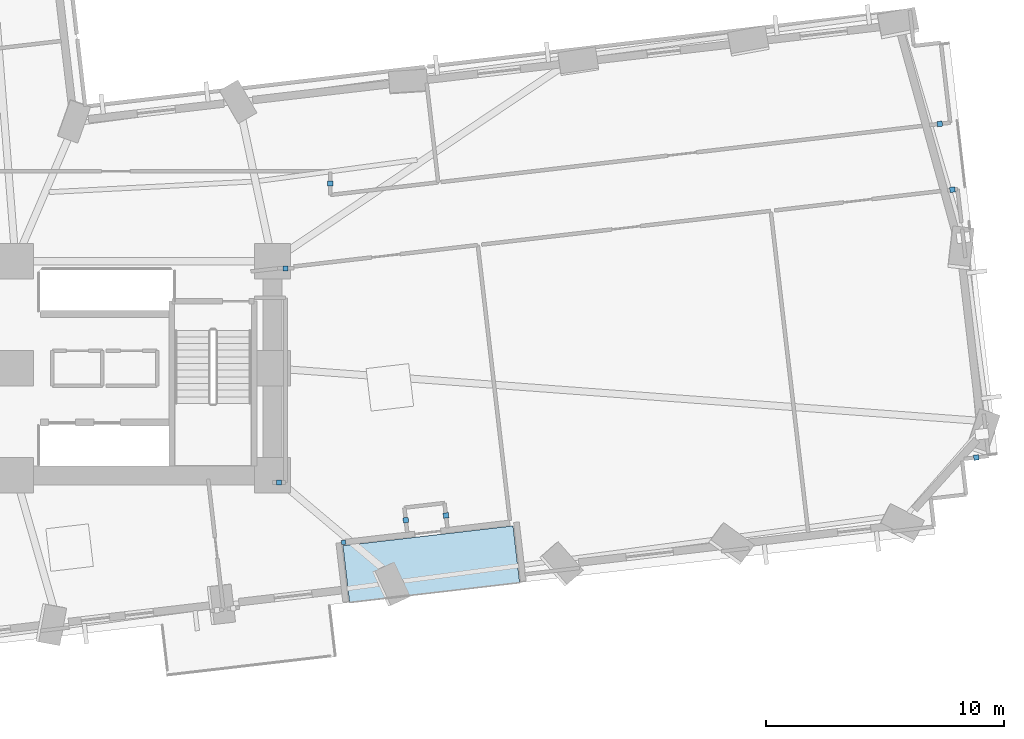
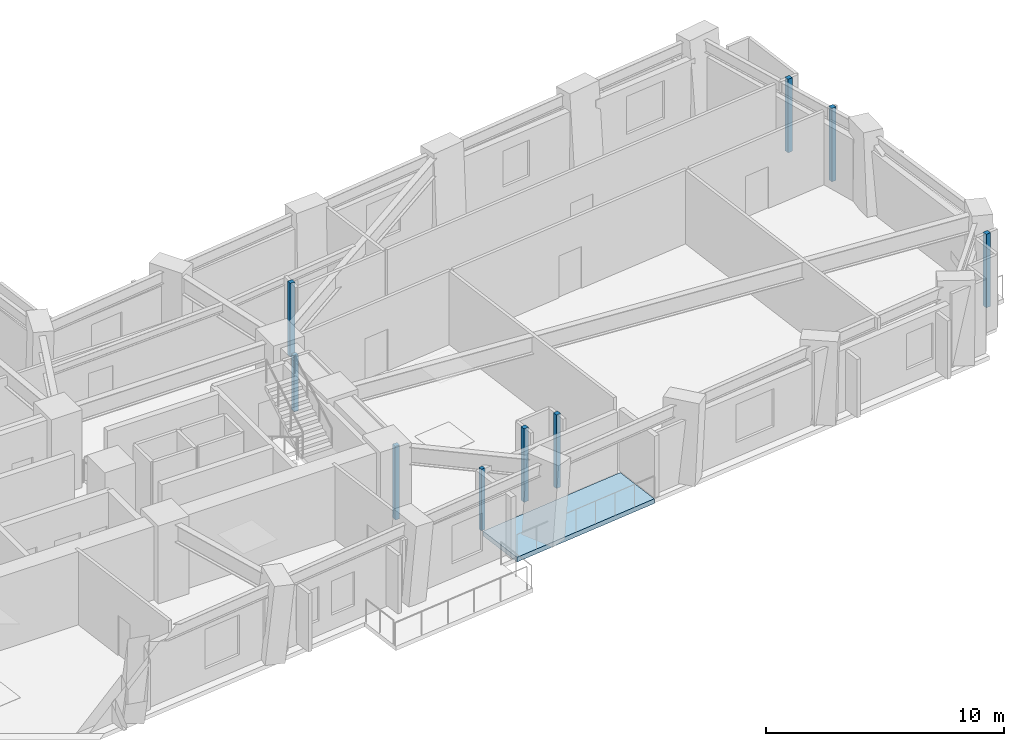
# One storey, part 5 of 14: 9 plates, 1 slab.
"""IFC4 building model written with IfcOpenShell, lengths in metres."""

import ifcopenshell
import ifcopenshell.guid

model = None  # the IFC model being written
_history = None  # IfcOwnerHistory: only IFC2X3 demands one
_inside = {}  # id of a spatial element -> (the spatial element, [elements in it])
_under = {}  # id of a project, library or spatial element -> (it, [spatial elements below it])
_declared = {}  # id of a project -> (the project, [libraries it declares])
_typed = {}  # id of a type object -> (the type object, [elements of that type])
_made_of = {}  # id of a material, layer set ... -> (it, [elements and type objects made of it])


def new_model(schema):
    """Start an empty IFC model of exactly this schema.

    Asked for "IFC4X3", IfcOpenShell would pick the latest addendum, in which some entities
    have other attributes; the version numbers below select the first issue.
    IFC2X3 requires an IfcOwnerHistory on every rooted entity: one is made here for all.
    """
    global model, _history
    if schema == "IFC4X3":
        model = ifcopenshell.file(schema_version=(4, 3, 0, 0))
    else:
        model = ifcopenshell.file(schema=schema)
    _inside.clear()
    _under.clear()
    _declared.clear()
    _typed.clear()
    _made_of.clear()
    _history = None
    if model.schema == "IFC2X3":
        org = make("IfcOrganization", Name="unknown")
        user = make(
            "IfcPersonAndOrganization",
            ThePerson=make("IfcPerson", FamilyName="unknown"),
            TheOrganization=org,
        )
        app = make(
            "IfcApplication",
            ApplicationDeveloper=org,
            Version="unknown",
            ApplicationFullName="unknown",
            ApplicationIdentifier="unknown",
        )
        _history = make(
            "IfcOwnerHistory",
            OwningUser=user,
            OwningApplication=app,
            ChangeAction="ADDED",
            CreationDate=0,
        )
    return model


def make(cls, **values):
    """One entity of the class cls with the attributes given. An attribute that is None is left unset."""
    return model.create_entity(
        cls, **{name: value for name, value in values.items() if value is not None}
    )


def rooted(cls, **values):
    """An entity with a GlobalId (a new one), such as an element, a storey or a relation."""
    return make(cls, GlobalId=ifcopenshell.guid.new(), OwnerHistory=_history, **values)


def si_unit(unit_type, name, prefix=None):
    """IfcSIUnit, for example si_unit("LENGTHUNIT", "METRE", prefix="MILLI")."""
    return make("IfcSIUnit", UnitType=unit_type, Prefix=prefix, Name=name)


def assignment(units):
    """IfcUnitAssignment: the units of a project."""
    return None if units is None else make("IfcUnitAssignment", Units=units)


def point(xyz):
    """IfcCartesianPoint."""
    return None if xyz is None else make("IfcCartesianPoint", Coordinates=xyz)


def direction(xyz):
    """IfcDirection."""
    return None if xyz is None else make("IfcDirection", DirectionRatios=xyz)


def frame(location, z_axis=None, x_axis=None):
    """IfcAxis2Placement3D, a coordinate frame: its origin and axes. An axis left out is left unset."""
    return make(
        "IfcAxis2Placement3D",
        Location=point(location),
        Axis=direction(z_axis),
        RefDirection=direction(x_axis),
    )


def frame_2d(location, x_axis=None):
    """IfcAxis2Placement2D, a coordinate frame in the plane: its origin and x axis."""
    return make(
        "IfcAxis2Placement2D", Location=point(location), RefDirection=direction(x_axis)
    )


def origin():
    """The frame at (0, 0, 0) with its axes left unset."""
    return frame((0.0, 0.0, 0.0))


def origin_2d():
    """The frame at (0, 0) in the plane with its x axis left unset."""
    return frame_2d((0.0, 0.0))


def place(relative_to, where):
    """IfcLocalPlacement: puts the frame where relative to a parent placement (None: the world)."""
    return make(
        "IfcLocalPlacement", PlacementRelTo=relative_to, RelativePlacement=where
    )


def context(
    kind, dimensions, precision=None, world=None, true_north=None, identifier=None
):
    """IfcGeometricRepresentationContext, for example the 3D "Model" context."""
    return make(
        "IfcGeometricRepresentationContext",
        ContextIdentifier=identifier,
        ContextType=kind,
        CoordinateSpaceDimension=dimensions,
        Precision=precision,
        WorldCoordinateSystem=world,
        TrueNorth=true_north,
    )


def subcontext(parent, identifier, kind, view, scale=None):
    """IfcGeometricRepresentationSubContext, for example "Body" below "Model"."""
    return make(
        "IfcGeometricRepresentationSubContext",
        ContextIdentifier=identifier,
        ContextType=kind,
        ParentContext=parent,
        TargetScale=scale,
        TargetView=view,
    )


def project(units=None, contexts=None):
    """IfcProject with its units and contexts."""
    return rooted(
        "IfcProject",
        Name="project",
        RepresentationContexts=contexts,
        UnitsInContext=assignment(units),
    )


def spatial(cls, under=None, at=None, **own):
    """A site, building, storey or space (cls), placed at a placement, below another one or the project."""
    s = rooted(cls, ObjectPlacement=at, **own)
    if under is not None:
        _under.setdefault(under.id(), (under, []))[1].append(s)
    return s


def polyline(points):
    """IfcPolyline through the points."""
    return make("IfcPolyline", Points=[point(p) for p in points])


def profile(cls, at=None, kind="AREA", **sizes):
    """A parametric profile (cls). Its sizes go by their IFC names, for example OverallWidth=200.0."""
    return make(cls, ProfileType=kind, Position=at, **sizes)


def rectangle(**sizes):
    """IfcRectangleProfileDef."""
    return profile("IfcRectangleProfileDef", **sizes)


def outline(outer, holes=None, kind="AREA"):
    """IfcArbitraryClosedProfileDef: a profile drawn as a closed curve; with holes, ...WithVoids."""
    if holes is None:
        return make("IfcArbitraryClosedProfileDef", ProfileType=kind, OuterCurve=outer)
    return make(
        "IfcArbitraryProfileDefWithVoids",
        ProfileType=kind,
        OuterCurve=outer,
        InnerCurves=holes,
    )


def extrude(swept, where, along, depth):
    """IfcExtrudedAreaSolid: the profile swept, set in the frame where, extruded along a direction by depth."""
    return make(
        "IfcExtrudedAreaSolid",
        SweptArea=swept,
        Position=where,
        ExtrudedDirection=direction(along),
        Depth=depth,
    )


def shape(context_of_items, identifier, shape_type, items):
    """IfcShapeRepresentation: the items that make up one representation, for example the "Body"."""
    return make(
        "IfcShapeRepresentation",
        ContextOfItems=context_of_items,
        RepresentationIdentifier=identifier,
        RepresentationType=shape_type,
        Items=items,
    )


def material(Name=None, Category=None):
    """IfcMaterial."""
    return make("IfcMaterial", Name=Name, Category=Category)


def layer(
    of_material, thickness, ventilated=None, Name=None, Category=None, Priority=None
):
    """IfcMaterialLayer: one layer of a wall or slab, of a material (None: an air gap)."""
    return make(
        "IfcMaterialLayer",
        Material=of_material,
        LayerThickness=thickness,
        IsVentilated=ventilated,
        Name=Name,
        Category=Category,
        Priority=Priority,
    )


def layer_set(layers, Name=None):
    """IfcMaterialLayerSet."""
    return make("IfcMaterialLayerSet", MaterialLayers=layers, LayerSetName=Name)


def made_of(thing, what):
    """Note that an element or type object is made of a material, layer set ...; save() writes the relation."""
    if what is not None:
        _made_of.setdefault(what.id(), (what, []))[1].append(thing)
    return thing


def type_object(cls, material=None, **own):
    """A type object (cls), such as IfcWallType, which elements share."""
    return made_of(rooted(cls, **own), material)


def element(
    cls,
    number,
    at=None,
    inside=None,
    cuts=None,
    type_object=None,
    material=None,
    context=None,
    identifier="Body",
    shape_type=None,
    held_by="IfcProductDefinitionShape",
    body=None,
    shapes=None,
    **own,
):
    """One element of the class cls, such as IfcWall. Its Tag is "e" and its number.

    at: its placement. inside: the storey or other place that contains it. cuts: it is an
    opening in that element (IfcRelVoidsElement). A single representation is given by context,
    identifier, shape_type and body (its items); several are given by shapes. held_by: the class
    of the entity that holds the representations. save() writes the other relations.
    """
    e = rooted(cls, Tag="e%d" % number, ObjectPlacement=at, **own)
    if body is not None:
        shapes = [shape(context, identifier, shape_type, body)]
    if shapes is not None:
        e.Representation = make(held_by, Representations=shapes)
    if inside is not None:
        _inside.setdefault(inside.id(), (inside, []))[1].append(e)
    if cuts is not None:
        rooted(
            "IfcRelVoidsElement", RelatingBuildingElement=cuts, RelatedOpeningElement=e
        )
    if type_object is not None:
        _typed.setdefault(type_object.id(), (type_object, []))[1].append(e)
    return made_of(e, material)


def aggregate(whole, parts):
    """IfcRelAggregates: a whole, such as a stair, and the parts it consists of."""
    return rooted("IfcRelAggregates", RelatingObject=whole, RelatedObjects=parts)


def save(model, path):
    """Write the relations noted so far, then the file.

    IfcRelAggregates (storeys below a building ...), IfcRelContainedInSpatialStructure (elements
    in a storey), IfcRelDefinesByType, IfcRelAssociatesMaterial and IfcRelDeclares: one each for
    every whole, place, type object, material and project.
    """
    for whole, parts in _under.values():
        aggregate(whole, parts)
    for where, things in _inside.values():
        rooted(
            "IfcRelContainedInSpatialStructure",
            RelatedElements=things,
            RelatingStructure=where,
        )
    for kind, things in _typed.values():
        rooted("IfcRelDefinesByType", RelatedObjects=things, RelatingType=kind)
    for what, things in _made_of.values():
        rooted("IfcRelAssociatesMaterial", RelatedObjects=things, RelatingMaterial=what)
    for by, libraries in _declared.values():
        rooted("IfcRelDeclares", RelatingContext=by, RelatedDefinitions=libraries)
    model.write(path)


model = new_model("IFC4")

# Units and contexts
model_context = context("Model", 3, precision=1e-05, world=origin(), true_north=direction((0.0, 1.0)))
body_context = subcontext(model_context, "Body", "Model", "MODEL_VIEW")
ifc_project = project(units=[si_unit("LENGTHUNIT", "METRE"), si_unit("AREAUNIT", "SQUARE_METRE"), si_unit("VOLUMEUNIT", "CUBIC_METRE"), si_unit("PLANEANGLEUNIT", "RADIAN"), si_unit("MASSUNIT", "GRAM", prefix="KILO")], contexts=[model_context])

# Site, building, storey
site_placement = place(None, origin())
site = spatial("IfcSite", under=ifc_project, at=site_placement, CompositionType="ELEMENT")
building_placement = place(site_placement, origin())
building = spatial("IfcBuilding", under=site, at=building_placement, Name="Gaonmaruhae Medical Tower", CompositionType="ELEMENT")
storey_placement = place(building_placement, frame((0.0, 0.0, 51.0)))
storey = spatial("IfcBuildingStorey", under=building, at=storey_placement, Name="L11", CompositionType="ELEMENT", Elevation=51.0)

# Plates
ifc_material_1 = material(Name="Anodised aluminium 6063-T6", Category="aluminium")
ifc_layer_1 = layer(ifc_material_1, 0.011962890625)
ifc_layer_set_1 = layer_set([ifc_layer_1], Name="Anodised aluminium 6063-T6")
plate_type = type_object("IfcPlateType", Name="PP-01 Interior Partition Corner Stiffener Plate", PredefinedType="SHEET", material=ifc_layer_set_1)
plate_1_placement = place(storey_placement, frame((38.58740234375, 4.984130859375, 0.0), z_axis=(0.0, 0.0, 1.0), x_axis=(-0.993272085779, -0.115803987891, 0.0)))
element("IfcPlate", 1, at=plate_1_placement, inside=storey, type_object=plate_type, Name="L11 Partition End Jamb Post Plate PLT-L11-ENDP-TERB-1", PredefinedType="SHEET", context=body_context, shape_type="SweptSolid", body=[
    extrude(rectangle(XDim=0.179931640625, YDim=0.179931640625, at=origin_2d()), origin(), (0.0, 0.0, 1.0), 3.1650390625),
])
plate_2_placement = place(storey_placement, frame((35.875, 7.5, 0.0), z_axis=(0.0, 0.0, 1.0), x_axis=(1.0, 0.0, 0.0)))
element("IfcPlate", 2, at=plate_2_placement, inside=storey, type_object=plate_type, Name="L11 Partition Corner Stiffener Plate PLT-L11-JGP-PW022", PredefinedType="SHEET", context=body_context, shape_type="SweptSolid", body=[
    extrude(rectangle(XDim=0.219970703125, YDim=0.219970703125, at=origin_2d()), origin(), (0.0, 0.0, 1.0), 3.780029296875),
])
plate_3_placement = place(storey_placement, frame((36.154541015625, 16.5, 0.0), z_axis=(0.0, 0.0, 1.0), x_axis=(1.0, 0.0, 0.0)))
element("IfcPlate", 3, at=plate_3_placement, inside=storey, type_object=plate_type, Name="L11 Partition Corner Stiffener Plate PLT-L11-JGP-PW026", PredefinedType="SHEET", context=body_context, shape_type="SweptSolid", body=[
    extrude(rectangle(XDim=0.219970703125, YDim=0.219970703125, at=origin_2d()), origin(), (0.0, 0.0, 1.0), 2.864990234375),
])
for number, where, z_axis, x_axis, name in (
    (4, (42.8955078125, 6.113037109375, 0.0), (0.0, 0.0, 1.0), (-0.116566731873, 0.993182861824, 0.0), "L11 Partition Corner Stiffener Plate PLT-L11-JGP-PW029"),
    (5, (41.20703125, 5.916015625, 0.0), (0.0, 0.0, 1.0), (0.115630627445, -0.99329228226, 0.0), "L11 Partition Corner Stiffener Plate PLT-L11-JGP-PW031"),
    (6, (64.189453125, 19.80908203125, 0.0), (0.0, 0.0, 1.0), (0.993150271527, 0.1168440763, 0.0), "L11 Partition Corner Stiffener Plate PLT-L11-JGP-PW041"),
    (7, (65.193603515625, 8.549560546875, 0.0), (0.0, 0.0, 1.0), (-0.993235655868, -0.1161160278, 0.0), "L11 Partition Corner Stiffener Plate PLT-L11-JGP-PW045"),
    (8, (38.030029296875, 20.069091796875, 0.0), (0.0, 0.0, 1.0), (0.0, 1.0, 0.0), "L11 Partition Corner Stiffener Plate PLT-L11-JGP-PW069"),
    (9, (63.658447265625, 22.575927734375, 0.0), (0.0, 0.0, 1.0), (-0.993304385624, -0.115526609487, 0.0), "L11 Partition Corner Stiffener Plate PLT-L11-JGP-PW076"),
):
    element("IfcPlate", number, at=place(storey_placement, frame(where, z_axis=z_axis, x_axis=x_axis)), inside=storey, type_object=plate_type, Name=name, PredefinedType="SHEET", context=body_context, shape_type="SweptSolid", body=[
        extrude(rectangle(XDim=0.219970703125, YDim=0.219970703125, at=origin_2d()), origin(), (0.0, 0.0, 1.0), 3.780029296875),
    ])

# Slab
ifc_material_2 = material(Name="Concrete C40/50", Category="concrete")
ifc_layer_2 = layer(ifc_material_2, 0.239990234375)
ifc_layer_set_2 = layer_set([ifc_layer_2], Name="Concrete C40/50")
slab_type = type_object("IfcSlabType", Name="TS-240 Sky Garden & Recovery Terrace Slab", PredefinedType="FLOOR", material=ifc_layer_set_2)
slab_placement = place(storey_placement, frame((0.0, 0.0, -0.239990234375)))
element("IfcSlab", 10, at=slab_placement, inside=storey, type_object=slab_type, Name="L11 Outdoor Recovery Terrace Slab", PredefinedType="FLOOR", context=body_context, shape_type="SweptSolid", body=[
    extrude(outline(polyline([(38.841796875, 2.456787109375), (45.9931640625, 3.29052734375), (45.71533203125, 5.67431640625), (38.563720703125, 4.840576171875), (38.841796875, 2.456787109375)])), origin(), (0.0, 0.0, 1.0), 0.239990234375),
])

save(model, "model.ifc")
